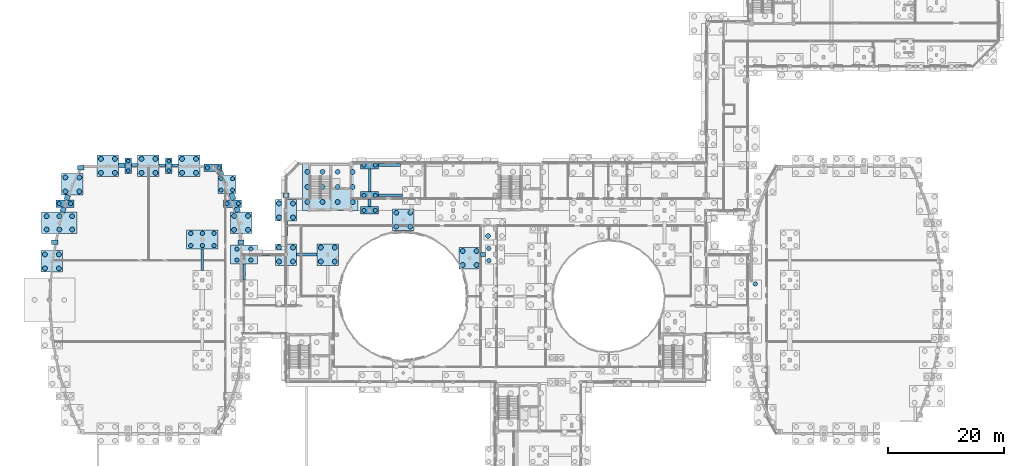
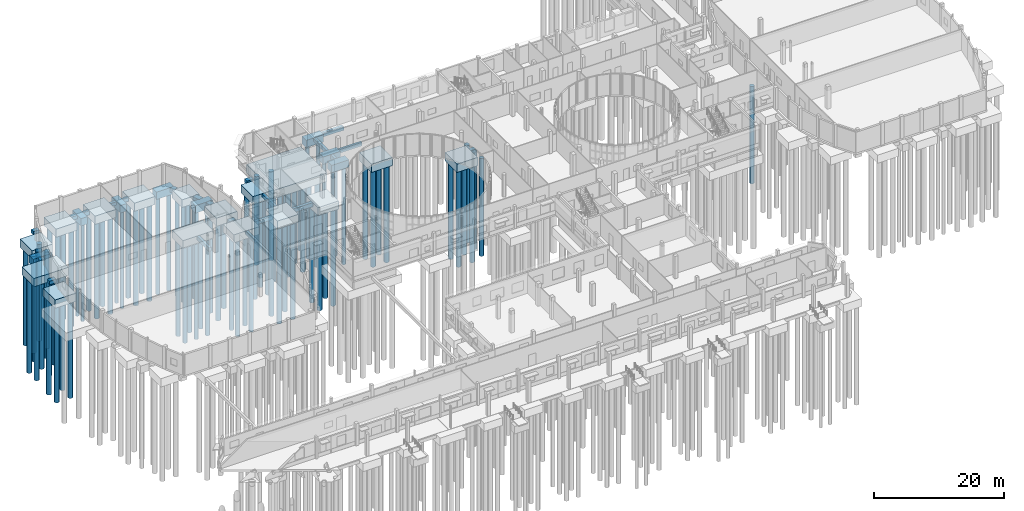
# One storey, part 6 of 93: 96 piles, 47 footings.
"""IFC4 building model written with IfcOpenShell, lengths in metres."""

from ifc_helpers import new_model, si_unit, direction, frame, origin, origin_2d, place, context, subcontext, project, spatial, rectangle, circle, extrude, material, material_profile, profile_set, type_object, element, save


model = new_model("IFC4")

# Units and contexts
model_context = context("Model", 3, precision=1e-05, world=origin(), true_north=direction((0.0, 1.0)))
body_context = subcontext(model_context, "Body", "Model", "MODEL_VIEW")
ifc_project = project(units=[si_unit("LENGTHUNIT", "METRE"), si_unit("AREAUNIT", "SQUARE_METRE"), si_unit("VOLUMEUNIT", "CUBIC_METRE"), si_unit("PLANEANGLEUNIT", "RADIAN"), si_unit("MASSUNIT", "GRAM", prefix="KILO")], contexts=[model_context])

# Site, building, storey
site_placement = place(None, origin())
site = spatial("IfcSite", under=ifc_project, at=site_placement, CompositionType="ELEMENT")
building_placement = place(site_placement, origin())
building = spatial("IfcBuilding", under=site, at=building_placement, Name="Kelanivale Promenade Academy", CompositionType="ELEMENT")
storey_placement = place(building_placement, origin())
storey = spatial("IfcBuildingStorey", under=building, at=storey_placement, Name="L00", CompositionType="ELEMENT", Elevation=0.0)

# Piles
ifc_material = material(Name="Concrete C35/45", Category="concrete")
ifc_material_profile_1 = material_profile(ifc_material, circle(Radius=0.300048828125, at=origin_2d()), Name="BORED PILE D600")
ifc_profile_set_1 = profile_set([ifc_material_profile_1], Name="Concrete C35/45")
pile_type_1 = type_object("IfcPileType", Name="BP-1 BORED PILE D600", PredefinedType="BORED", material=ifc_profile_set_1)
for number, where, z_axis, x_axis, name in (
    (1, (16.012939453125, 78.4599609375, -1.550048828125), (0.0, 0.0, -1.0), (1.0, 0.0, 0.0), "Bored pile FC-020-BP1-P01"),
    (2, (16.012939453125, 80.10009765625, -1.550048828125), (0.0, 0.0, -1.0), (1.0, 0.0, 0.0), "Bored pile FC-020-BP1-P02"),
    (3, (22.9990234375, 78.4599609375, -1.550048828125), (0.0, 0.0, -1.0), (1.0, 0.0, 0.0), "Bored pile FC-027-BP1-P01"),
    (4, (22.9990234375, 80.10009765625, -1.550048828125), (0.0, 0.0, -1.0), (1.0, 0.0, 0.0), "Bored pile FC-027-BP1-P02"),
):
    element("IfcPile", number, at=place(storey_placement, frame(where, z_axis=z_axis, x_axis=x_axis)), inside=storey, type_object=pile_type_1, Name=name, PredefinedType="BORED", context=body_context, shape_type="SweptSolid", body=[
        extrude(circle(Radius=0.300048828125, at=origin_2d()), origin(), (0.0, 0.0, 1.0), 18.449951171875),
    ])
ifc_material_profile_2 = material_profile(ifc_material, circle(Radius=0.35009765625, at=origin_2d()), Name="BORED PILE D700")
ifc_profile_set_2 = profile_set([ifc_material_profile_2], Name="Concrete C35/45")
pile_type_2 = type_object("IfcPileType", Name="BP-2 BORED PILE D700", PredefinedType="BORED", material=ifc_profile_set_2)
for number, where, z_axis, x_axis, name in (
    (5, (4.131103515625, 72.77099609375, -1.550048828125), (0.0, 0.0, -1.0), (1.0, 0.0, 0.0), "Bored pile FC-008-BP2-P01"),
    (6, (6.091064453125, 72.77099609375, -1.550048828125), (0.0, 0.0, -1.0), (1.0, 0.0, 0.0), "Bored pile FC-008-BP2-P02"),
    (7, (29.669921875, 78.949951171875, -1.550048828125), (0.0, 0.0, -1.0), (1.0, 0.0, 0.0), "Bored pile FC-038-BP2-P01"),
    (8, (31.6298828125, 78.949951171875, -1.550048828125), (0.0, 0.0, -1.0), (1.0, 0.0, 0.0), "Bored pile FC-038-BP2-P02"),
):
    element("IfcPile", number, at=place(storey_placement, frame(where, z_axis=z_axis, x_axis=x_axis)), inside=storey, type_object=pile_type_2, Name=name, PredefinedType="BORED", context=body_context, shape_type="SweptSolid", body=[
        extrude(circle(Radius=0.35009765625, at=origin_2d()), origin(), (0.0, 0.0, 1.0), 18.449951171875),
    ])
for number, where, z_axis, x_axis, name in (
    (9, (32.030029296875, 75.10595703125, -1.60009765625), (0.0, 0.0, -1.0), (1.0, 0.0, 0.0), "Bored pile FC-040-BP2-P01"),
    (10, (32.030029296875, 77.06591796875, -1.60009765625), (0.0, 0.0, -1.0), (1.0, 0.0, 0.0), "Bored pile FC-040-BP2-P02"),
    (11, (33.989990234375, 75.10595703125, -1.60009765625), (0.0, 0.0, -1.0), (1.0, 0.0, 0.0), "Bored pile FC-040-BP2-P03"),
    (12, (33.989990234375, 77.06591796875, -1.60009765625), (0.0, 0.0, -1.0), (1.0, 0.0, 0.0), "Bored pile FC-040-BP2-P04"),
):
    element("IfcPile", number, at=place(storey_placement, frame(where, z_axis=z_axis, x_axis=x_axis)), inside=storey, type_object=pile_type_2, Name=name, PredefinedType="BORED", context=body_context, shape_type="SweptSolid", body=[
        extrude(circle(Radius=0.35009765625, at=origin_2d()), origin(), (0.0, 0.0, 1.0), 18.39990234375),
    ])
for number, where, z_axis, x_axis, name in (
    (13, (33.02001953125, 72.77099609375, -1.550048828125), (0.0, 0.0, -1.0), (1.0, 0.0, 0.0), "Bored pile FC-042-BP2-P01"),
    (14, (34.97998046875, 72.77099609375, -1.550048828125), (0.0, 0.0, -1.0), (1.0, 0.0, 0.0), "Bored pile FC-042-BP2-P02"),
):
    element("IfcPile", number, at=place(storey_placement, frame(where, z_axis=z_axis, x_axis=x_axis)), inside=storey, type_object=pile_type_2, Name=name, PredefinedType="BORED", context=body_context, shape_type="SweptSolid", body=[
        extrude(circle(Radius=0.35009765625, at=origin_2d()), origin(), (0.0, 0.0, 1.0), 18.449951171875),
    ])
for number, where, z_axis, x_axis, name in (
    (15, (56.6201171875, 71.60009765625, -1.5), (0.0, 0.0, -1.0), (1.0, 0.0, 0.0), "Bored pile FC-066-BP2-P01"),
    (16, (58.580078125, 71.60009765625, -1.5), (0.0, 0.0, -1.0), (1.0, 0.0, 0.0), "Bored pile FC-066-BP2-P02"),
    (17, (56.6201171875, 74.199951171875, -1.5), (0.0, 0.0, -1.0), (1.0, 0.0, 0.0), "Bored pile FC-067-BP2-P01"),
    (18, (58.580078125, 74.199951171875, -1.5), (0.0, 0.0, -1.0), (1.0, 0.0, 0.0), "Bored pile FC-067-BP2-P02"),
    (19, (56.6201171875, 79.39990234375, -1.5), (0.0, 0.0, -1.0), (1.0, 0.0, 0.0), "Bored pile FC-068-BP2-P01"),
    (20, (58.580078125, 79.39990234375, -1.5), (0.0, 0.0, -1.0), (1.0, 0.0, 0.0), "Bored pile FC-068-BP2-P02"),
):
    element("IfcPile", number, at=place(storey_placement, frame(where, z_axis=z_axis, x_axis=x_axis)), inside=storey, type_object=pile_type_2, Name=name, PredefinedType="BORED", context=body_context, shape_type="SweptSolid", body=[
        extrude(circle(Radius=0.35009765625, at=origin_2d()), origin(), (0.0, 0.0, 1.0), 18.5),
    ])
ifc_material_profile_3 = material_profile(ifc_material, circle(Radius=0.375, at=origin_2d()), Name="BORED PILE D750")
ifc_profile_set_3 = profile_set([ifc_material_profile_3], Name="Concrete C35/45")
pile_type_3 = type_object("IfcPileType", Name="BP-3 BORED PILE D750", PredefinedType="BORED", material=ifc_profile_set_3)
for number, where, z_axis, x_axis, name in (
    (21, (34.75, 63.050048828125, -1.64990234375), (0.0, 0.0, -1.0), (1.0, 0.0, 0.0), "Bored pile FC-MJ-W03-BP3-P01"),
    (22, (34.75, 64.949951171875, -1.64990234375), (0.0, 0.0, -1.0), (1.0, 0.0, 0.0), "Bored pile FC-MJ-W03-BP3-P02"),
    (23, (37.14990234375, 63.050048828125, -1.64990234375), (0.0, 0.0, -1.0), (1.0, 0.0, 0.0), "Bored pile FC-MJ-W03-BP3-P03"),
    (24, (37.14990234375, 64.949951171875, -1.64990234375), (0.0, 0.0, -1.0), (1.0, 0.0, 0.0), "Bored pile FC-MJ-W03-BP3-P04"),
    (25, (124.050048828125, 58.949951171875, -1.64990234375), (0.0, 0.0, -1.0), (1.0, 0.0, 0.0), "Bored pile FC-MJ-E02-BP3-P04"),
    (26, (26.800048828125, 65.550048828125, -1.64990234375), (0.0, 0.0, -1.0), (1.0, 0.0, 0.0), "Bored pile FC-036-BP3-P01"),
    (27, (28.800048828125, 65.550048828125, -1.64990234375), (0.0, 0.0, -1.0), (1.0, 0.0, 0.0), "Bored pile FC-036-BP3-P02"),
    (28, (30.800048828125, 65.550048828125, -1.64990234375), (0.0, 0.0, -1.0), (1.0, 0.0, 0.0), "Bored pile FC-036-BP3-P03"),
    (29, (26.800048828125, 67.64990234375, -1.64990234375), (0.0, 0.0, -1.0), (1.0, 0.0, 0.0), "Bored pile FC-036-BP3-P04"),
    (30, (28.800048828125, 67.64990234375, -1.64990234375), (0.0, 0.0, -1.0), (1.0, 0.0, 0.0), "Bored pile FC-036-BP3-P05"),
    (31, (30.800048828125, 67.64990234375, -1.64990234375), (0.0, 0.0, -1.0), (1.0, 0.0, 0.0), "Bored pile FC-036-BP3-P06"),
):
    element("IfcPile", number, at=place(storey_placement, frame(where, z_axis=z_axis, x_axis=x_axis)), inside=storey, type_object=pile_type_3, Name=name, PredefinedType="BORED", context=body_context, shape_type="SweptSolid", body=[
        extrude(circle(Radius=0.375, at=origin_2d()), origin(), (0.0, 0.0, 1.0), 18.35009765625),
    ])
for number, where, z_axis, x_axis, name in (
    (32, (78.14990234375, 62.949951171875, -1.60009765625), (0.0, 0.0, -1.0), (1.0, 0.0, 0.0), "Bored pile FC-096-BP3-P01"),
    (33, (78.14990234375, 65.050048828125, -1.60009765625), (0.0, 0.0, -1.0), (1.0, 0.0, 0.0), "Bored pile FC-096-BP3-P02"),
):
    element("IfcPile", number, at=place(storey_placement, frame(where, z_axis=z_axis, x_axis=x_axis)), inside=storey, type_object=pile_type_3, Name=name, PredefinedType="BORED", context=body_context, shape_type="SweptSolid", body=[
        extrude(circle(Radius=0.375, at=origin_2d()), origin(), (0.0, 0.0, 1.0), 18.39990234375),
    ])
ifc_material_profile_4 = material_profile(ifc_material, circle(Radius=0.425048828125, at=origin_2d()), Name="BORED PILE D850")
ifc_profile_set_4 = profile_set([ifc_material_profile_4], Name="Concrete C35/45")
pile_type_4 = type_object("IfcPileType", Name="BP-4 BORED PILE D850", PredefinedType="BORED", material=ifc_profile_set_4)
for number, where, z_axis, x_axis, name in (
    (34, (46.89990234375, 73.050048828125, -3.300048828125), (0.0, 0.0, -1.0), (1.0, 0.0, 0.0), "Bored pile FC-CORE-04-BP4-P01"),
    (35, (46.89990234375, 75.64990234375, -3.300048828125), (0.0, 0.0, -1.0), (1.0, 0.0, 0.0), "Bored pile FC-CORE-04-BP4-P02"),
    (36, (46.89990234375, 78.25, -3.300048828125), (0.0, 0.0, -1.0), (1.0, 0.0, 0.0), "Bored pile FC-CORE-04-BP4-P03"),
    (37, (49.5, 73.050048828125, -3.300048828125), (0.0, 0.0, -1.0), (1.0, 0.0, 0.0), "Bored pile FC-CORE-04-BP4-P04"),
    (38, (49.5, 75.64990234375, -3.300048828125), (0.0, 0.0, -1.0), (1.0, 0.0, 0.0), "Bored pile FC-CORE-04-BP4-P05"),
    (39, (49.5, 78.25, -3.300048828125), (0.0, 0.0, -1.0), (1.0, 0.0, 0.0), "Bored pile FC-CORE-04-BP4-P06"),
    (40, (52.10009765625, 73.050048828125, -3.300048828125), (0.0, 0.0, -1.0), (1.0, 0.0, 0.0), "Bored pile FC-CORE-04-BP4-P07"),
    (41, (52.10009765625, 75.64990234375, -3.300048828125), (0.0, 0.0, -1.0), (1.0, 0.0, 0.0), "Bored pile FC-CORE-04-BP4-P08"),
    (42, (52.10009765625, 78.25, -3.300048828125), (0.0, 0.0, -1.0), (1.0, 0.0, 0.0), "Bored pile FC-CORE-04-BP4-P09"),
    (43, (54.699951171875, 73.050048828125, -3.300048828125), (0.0, 0.0, -1.0), (1.0, 0.0, 0.0), "Bored pile FC-CORE-04-BP4-P10"),
    (44, (54.699951171875, 75.64990234375, -3.300048828125), (0.0, 0.0, -1.0), (1.0, 0.0, 0.0), "Bored pile FC-CORE-04-BP4-P11"),
    (45, (54.699951171875, 78.25, -3.300048828125), (0.0, 0.0, -1.0), (1.0, 0.0, 0.0), "Bored pile FC-CORE-04-BP4-P12"),
):
    element("IfcPile", number, at=place(storey_placement, frame(where, z_axis=z_axis, x_axis=x_axis)), inside=storey, type_object=pile_type_4, Name=name, PredefinedType="BORED", context=body_context, shape_type="SweptSolid", body=[
        extrude(circle(Radius=0.425048828125, at=origin_2d()), origin(), (0.0, 0.0, 1.0), 16.699951171875),
    ])
for number, where, z_axis, x_axis, name in (
    (46, (1.6640625, 61.62890625, -1.699951171875), (0.0, 0.0, -1.0), (1.0, 0.0, 0.0), "Bored pile FC-004-BP4-P01"),
    (47, (1.6640625, 64.029052734375, -1.699951171875), (0.0, 0.0, -1.0), (1.0, 0.0, 0.0), "Bored pile FC-004-BP4-P02"),
    (48, (4.06396484375, 61.62890625, -1.699951171875), (0.0, 0.0, -1.0), (1.0, 0.0, 0.0), "Bored pile FC-004-BP4-P03"),
    (49, (4.06396484375, 64.029052734375, -1.699951171875), (0.0, 0.0, -1.0), (1.0, 0.0, 0.0), "Bored pile FC-004-BP4-P04"),
    (50, (1.9580078125, 68.306884765625, -1.699951171875), (0.0, 0.0, -1.0), (1.0, 0.0, 0.0), "Bored pile FC-006-BP4-P01"),
    (51, (4.157958984375, 68.306884765625, -1.699951171875), (0.0, 0.0, -1.0), (1.0, 0.0, 0.0), "Bored pile FC-006-BP4-P02"),
    (52, (6.35791015625, 68.306884765625, -1.699951171875), (0.0, 0.0, -1.0), (1.0, 0.0, 0.0), "Bored pile FC-006-BP4-P03"),
    (53, (1.9580078125, 70.60693359375, -1.699951171875), (0.0, 0.0, -1.0), (1.0, 0.0, 0.0), "Bored pile FC-006-BP4-P04"),
    (54, (4.157958984375, 70.60693359375, -1.699951171875), (0.0, 0.0, -1.0), (1.0, 0.0, 0.0), "Bored pile FC-006-BP4-P05"),
    (55, (6.35791015625, 70.60693359375, -1.699951171875), (0.0, 0.0, -1.0), (1.0, 0.0, 0.0), "Bored pile FC-006-BP4-P06"),
    (56, (5.193115234375, 74.885986328125, -1.699951171875), (0.0, 0.0, -1.0), (1.0, 0.0, 0.0), "Bored pile FC-010-BP4-P01"),
    (57, (5.193115234375, 77.285888671875, -1.699951171875), (0.0, 0.0, -1.0), (1.0, 0.0, 0.0), "Bored pile FC-010-BP4-P02"),
    (58, (7.593017578125, 74.885986328125, -1.699951171875), (0.0, 0.0, -1.0), (1.0, 0.0, 0.0), "Bored pile FC-010-BP4-P03"),
    (59, (7.593017578125, 77.285888671875, -1.699951171875), (0.0, 0.0, -1.0), (1.0, 0.0, 0.0), "Bored pile FC-010-BP4-P04"),
    (60, (11.320068359375, 78.080078125, -1.699951171875), (0.0, 0.0, -1.0), (1.0, 0.0, 0.0), "Bored pile FC-015-BP4-P01"),
    (61, (11.320068359375, 80.47998046875, -1.699951171875), (0.0, 0.0, -1.0), (1.0, 0.0, 0.0), "Bored pile FC-015-BP4-P02"),
    (62, (13.719970703125, 78.080078125, -1.699951171875), (0.0, 0.0, -1.0), (1.0, 0.0, 0.0), "Bored pile FC-015-BP4-P03"),
    (63, (13.719970703125, 80.47998046875, -1.699951171875), (0.0, 0.0, -1.0), (1.0, 0.0, 0.0), "Bored pile FC-015-BP4-P04"),
    (64, (18.305908203125, 78.080078125, -1.699951171875), (0.0, 0.0, -1.0), (1.0, 0.0, 0.0), "Bored pile FC-022-BP4-P01"),
    (65, (18.305908203125, 80.47998046875, -1.699951171875), (0.0, 0.0, -1.0), (1.0, 0.0, 0.0), "Bored pile FC-022-BP4-P02"),
    (66, (20.7060546875, 78.080078125, -1.699951171875), (0.0, 0.0, -1.0), (1.0, 0.0, 0.0), "Bored pile FC-022-BP4-P03"),
    (67, (20.7060546875, 80.47998046875, -1.699951171875), (0.0, 0.0, -1.0), (1.0, 0.0, 0.0), "Bored pile FC-022-BP4-P04"),
    (68, (25.2919921875, 78.080078125, -1.699951171875), (0.0, 0.0, -1.0), (1.0, 0.0, 0.0), "Bored pile FC-029-BP4-P01"),
    (69, (25.2919921875, 80.47998046875, -1.699951171875), (0.0, 0.0, -1.0), (1.0, 0.0, 0.0), "Bored pile FC-029-BP4-P02"),
    (70, (27.69189453125, 78.080078125, -1.699951171875), (0.0, 0.0, -1.0), (1.0, 0.0, 0.0), "Bored pile FC-029-BP4-P03"),
    (71, (27.69189453125, 80.47998046875, -1.699951171875), (0.0, 0.0, -1.0), (1.0, 0.0, 0.0), "Bored pile FC-029-BP4-P04"),
    (72, (34.260009765625, 68.257080078125, -1.699951171875), (0.0, 0.0, -1.0), (1.0, 0.0, 0.0), "Bored pile FC-045-BP4-P01"),
    (73, (34.260009765625, 70.656982421875, -1.699951171875), (0.0, 0.0, -1.0), (1.0, 0.0, 0.0), "Bored pile FC-045-BP4-P02"),
    (74, (36.659912109375, 68.257080078125, -1.699951171875), (0.0, 0.0, -1.0), (1.0, 0.0, 0.0), "Bored pile FC-045-BP4-P03"),
    (75, (36.659912109375, 70.656982421875, -1.699951171875), (0.0, 0.0, -1.0), (1.0, 0.0, 0.0), "Bored pile FC-045-BP4-P04"),
):
    element("IfcPile", number, at=place(storey_placement, frame(where, z_axis=z_axis, x_axis=x_axis)), inside=storey, type_object=pile_type_4, Name=name, PredefinedType="BORED", context=body_context, shape_type="SweptSolid", body=[
        extrude(circle(Radius=0.425048828125, at=origin_2d()), origin(), (0.0, 0.0, 1.0), 18.300048828125),
    ])
for number, where, z_axis, x_axis, name in (
    (76, (42.0, 62.800048828125, -1.64990234375), (0.0, 0.0, -1.0), (1.0, 0.0, 0.0), "Bored pile FC-051-BP4-P01"),
    (77, (42.0, 65.199951171875, -1.64990234375), (0.0, 0.0, -1.0), (1.0, 0.0, 0.0), "Bored pile FC-051-BP4-P02"),
    (78, (44.39990234375, 62.800048828125, -1.64990234375), (0.0, 0.0, -1.0), (1.0, 0.0, 0.0), "Bored pile FC-051-BP4-P03"),
    (79, (44.39990234375, 65.199951171875, -1.64990234375), (0.0, 0.0, -1.0), (1.0, 0.0, 0.0), "Bored pile FC-051-BP4-P04"),
    (80, (42.0, 70.39990234375, -1.64990234375), (0.0, 0.0, -1.0), (1.0, 0.0, 0.0), "Bored pile FC-052-BP4-P01"),
    (81, (42.0, 72.800048828125, -1.64990234375), (0.0, 0.0, -1.0), (1.0, 0.0, 0.0), "Bored pile FC-052-BP4-P02"),
    (82, (44.39990234375, 70.39990234375, -1.64990234375), (0.0, 0.0, -1.0), (1.0, 0.0, 0.0), "Bored pile FC-052-BP4-P03"),
    (83, (44.39990234375, 72.800048828125, -1.64990234375), (0.0, 0.0, -1.0), (1.0, 0.0, 0.0), "Bored pile FC-052-BP4-P04"),
    (84, (49.199951171875, 62.800048828125, -1.64990234375), (0.0, 0.0, -1.0), (1.0, 0.0, 0.0), "Bored pile FC-059-BP4-P01"),
    (85, (49.199951171875, 65.199951171875, -1.64990234375), (0.0, 0.0, -1.0), (1.0, 0.0, 0.0), "Bored pile FC-059-BP4-P02"),
    (86, (51.60009765625, 62.800048828125, -1.64990234375), (0.0, 0.0, -1.0), (1.0, 0.0, 0.0), "Bored pile FC-059-BP4-P03"),
    (87, (51.60009765625, 65.199951171875, -1.64990234375), (0.0, 0.0, -1.0), (1.0, 0.0, 0.0), "Bored pile FC-059-BP4-P04"),
    (88, (62.199951171875, 68.800048828125, -1.64990234375), (0.0, 0.0, -1.0), (1.0, 0.0, 0.0), "Bored pile FC-070-BP4-P01"),
    (89, (62.199951171875, 71.199951171875, -1.64990234375), (0.0, 0.0, -1.0), (1.0, 0.0, 0.0), "Bored pile FC-070-BP4-P02"),
    (90, (64.60009765625, 68.800048828125, -1.64990234375), (0.0, 0.0, -1.0), (1.0, 0.0, 0.0), "Bored pile FC-070-BP4-P03"),
    (91, (64.60009765625, 71.199951171875, -1.64990234375), (0.0, 0.0, -1.0), (1.0, 0.0, 0.0), "Bored pile FC-070-BP4-P04"),
    (92, (73.632080078125, 62.199951171875, -1.64990234375), (0.0, 0.0, -1.0), (1.0, 0.0, 0.0), "Bored pile FC-087-BP4-P01"),
    (93, (73.632080078125, 64.60009765625, -1.64990234375), (0.0, 0.0, -1.0), (1.0, 0.0, 0.0), "Bored pile FC-087-BP4-P02"),
    (94, (76.031982421875, 62.199951171875, -1.64990234375), (0.0, 0.0, -1.0), (1.0, 0.0, 0.0), "Bored pile FC-087-BP4-P03"),
    (95, (76.031982421875, 64.60009765625, -1.64990234375), (0.0, 0.0, -1.0), (1.0, 0.0, 0.0), "Bored pile FC-087-BP4-P04"),
    (96, (78.0, 67.199951171875, -1.64990234375), (0.0, 0.0, -1.0), (1.0, 0.0, 0.0), "Bored pile FC-097-BP4-P01"),
):
    element("IfcPile", number, at=place(storey_placement, frame(where, z_axis=z_axis, x_axis=x_axis)), inside=storey, type_object=pile_type_4, Name=name, PredefinedType="BORED", context=body_context, shape_type="SweptSolid", body=[
        extrude(circle(Radius=0.425048828125, at=origin_2d()), origin(), (0.0, 0.0, 1.0), 18.35009765625),
    ])

# Footings
footing_type_1 = type_object("IfcFootingType", Name="GB-01 450x650", PredefinedType="FOOTING_BEAM", material=ifc_material)
footing_1_placement = place(storey_placement, frame((39.800048828125, 64.0, -0.949951171875), z_axis=(0.0, 0.0, 1.0), x_axis=(1.0, 0.0, 0.0)))
element("IfcFooting", 97, at=footing_1_placement, inside=storey, type_object=footing_type_1, Name="Ground beam GB-089", PredefinedType="FOOTING_BEAM", context=body_context, shape_type="SweptSolid", body=[
    extrude(rectangle(XDim=3.110107421875, YDim=0.449951171875, at=origin_2d()), origin(), (0.0, 0.0, 1.0), 0.64990234375),
])
footing_2_placement = place(storey_placement, frame((61.199951171875, 74.199951171875, -0.89990234375), z_axis=(0.0, 0.0, 1.0), x_axis=(1.0, 0.0, 0.0)))
element("IfcFooting", 98, at=footing_2_placement, inside=storey, type_object=footing_type_1, Name="Ground beam GB-097", PredefinedType="FOOTING_BEAM", context=body_context, shape_type="SweptSolid", body=[
    extrude(rectangle(XDim=4.110107421875, YDim=0.449951171875, at=origin_2d()), origin(), (0.0, 0.0, 1.0), 0.64990234375),
])
for number, where, z_axis, x_axis, name in (
    (99, (21.889892578125, 79.39990234375, -0.949951171875), (0.0, 0.0, 1.0), (1.0, 0.0, 0.0), "Ground beam GB-100"),
    (100, (24.10791015625, 79.39990234375, -0.949951171875), (0.0, 0.0, 1.0), (1.0, 0.0, 0.0), "Ground beam GB-101"),
):
    element("IfcFooting", number, at=place(storey_placement, frame(where, z_axis=z_axis, x_axis=x_axis)), inside=storey, type_object=footing_type_1, Name=name, PredefinedType="FOOTING_BEAM", context=body_context, shape_type="SweptSolid", body=[
        extrude(rectangle(XDim=1.077880859375, YDim=0.449951171875, at=origin_2d()), origin(), (0.0, 0.0, 1.0), 0.64990234375),
    ])
footing_3_placement = place(storey_placement, frame((28.800048828125, 63.10009765625, -0.949951171875), z_axis=(0.0, 0.0, 1.0), x_axis=(0.0, 1.0, 0.0)))
element("IfcFooting", 101, at=footing_3_placement, inside=storey, type_object=footing_type_1, Name="Ground beam GB-127", PredefinedType="FOOTING_BEAM", context=body_context, shape_type="SweptSolid", body=[
    extrude(rectangle(XDim=3.7099609375, YDim=0.449951171875, at=origin_2d()), origin(), (0.0, 0.0, 1.0), 0.64990234375),
])
footing_4_placement = place(storey_placement, frame((36.0, 61.0, -0.949951171875), z_axis=(0.0, 0.0, 1.0), x_axis=(0.0, 1.0, 0.0)))
element("IfcFooting", 102, at=footing_4_placement, inside=storey, type_object=footing_type_1, Name="Ground beam GB-130", PredefinedType="FOOTING_BEAM", context=body_context, shape_type="SweptSolid", body=[
    extrude(rectangle(XDim=2.7099609375, YDim=0.449951171875, at=origin_2d()), origin(), (0.0, 0.0, 1.0), 0.64990234375),
])
for number, where, z_axis, x_axis, name in (
    (103, (43.199951171875, 67.800048828125, -0.89990234375), (0.0, 0.0, 1.0), (0.0, 1.0, 0.0), "Ground beam GB-134"),
    (104, (57.60009765625, 76.800048828125, -0.89990234375), (0.0, 0.0, 1.0), (0.0, 1.0, 0.0), "Ground beam GB-145"),
):
    element("IfcFooting", number, at=place(storey_placement, frame(where, z_axis=z_axis, x_axis=x_axis)), inside=storey, type_object=footing_type_1, Name=name, PredefinedType="FOOTING_BEAM", context=body_context, shape_type="SweptSolid", body=[
        extrude(rectangle(XDim=3.909912109375, YDim=0.449951171875, at=origin_2d()), origin(), (0.0, 0.0, 1.0), 0.64990234375),
    ])
footing_type_2 = type_object("IfcFootingType", Name="GB-02 500x750", PredefinedType="FOOTING_BEAM", material=ifc_material)
footing_5_placement = place(storey_placement, frame((46.800048828125, 64.0, -1.0), z_axis=(0.0, 0.0, 1.0), x_axis=(1.0, 0.0, 0.0)))
element("IfcFooting", 105, at=footing_5_placement, inside=storey, type_object=footing_type_2, Name="Ground beam GB-090", PredefinedType="FOOTING_BEAM", context=body_context, shape_type="SweptSolid", body=[
    extrude(rectangle(XDim=3.510009765625, YDim=0.5, at=origin_2d()), origin(), (0.0, 0.0, 1.0), 0.75),
])
footing_6_placement = place(storey_placement, frame((17.1220703125, 79.39990234375, -1.050048828125), z_axis=(0.0, 0.0, 1.0), x_axis=(1.0, 0.0, 0.0)))
element("IfcFooting", 106, at=footing_6_placement, inside=storey, type_object=footing_type_2, Name="Ground beam GB-099", PredefinedType="FOOTING_BEAM", context=body_context, shape_type="SweptSolid", body=[
    extrude(rectangle(XDim=1.077880859375, YDim=0.5, at=origin_2d()), origin(), (0.0, 0.0, 1.0), 0.75),
])
footing_7_placement = place(storey_placement, frame((61.050048828125, 79.39990234375, -1.0), z_axis=(0.0, 0.0, 1.0), x_axis=(1.0, 0.0, 0.0)))
element("IfcFooting", 107, at=footing_7_placement, inside=storey, type_object=footing_type_2, Name="Ground beam GB-102", PredefinedType="FOOTING_BEAM", context=body_context, shape_type="SweptSolid", body=[
    extrude(rectangle(XDim=3.81005859375, YDim=0.5, at=origin_2d()), origin(), (0.0, 0.0, 1.0), 0.75),
])
footing_8_placement = place(storey_placement, frame((57.60009765625, 72.89990234375, -1.0), z_axis=(0.0, 0.0, 1.0), x_axis=(0.0, 1.0, 0.0)))
element("IfcFooting", 108, at=footing_8_placement, inside=storey, type_object=footing_type_2, Name="Ground beam GB-144", PredefinedType="FOOTING_BEAM", context=body_context, shape_type="SweptSolid", body=[
    extrude(rectangle(XDim=1.31005859375, YDim=0.5, at=origin_2d()), origin(), (0.0, 0.0, 1.0), 0.75),
])
footing_type_3 = type_object("IfcFootingType", Name="PC-01 Pile Cap 2650x1150x1400", PredefinedType="PILE_CAP", material=ifc_material)
for number, where, z_axis, x_axis, name in (
    (109, (16.012939453125, 79.280029296875, -1.699951171875), (0.0, 0.0, 1.0), (0.0, 1.0, 0.0), "Pile cap FC-020"),
    (110, (22.9990234375, 79.280029296875, -1.699951171875), (0.0, 0.0, 1.0), (0.0, 1.0, 0.0), "Pile cap FC-027"),
):
    element("IfcFooting", number, at=place(storey_placement, frame(where, z_axis=z_axis, x_axis=x_axis)), inside=storey, type_object=footing_type_3, Name=name, PredefinedType="PILE_CAP", context=body_context, shape_type="SweptSolid", body=[
        extrude(rectangle(XDim=2.64990234375, YDim=1.14990234375, at=origin_2d()), origin(), (0.0, 0.0, 1.0), 1.39990234375),
    ])
footing_type_4 = type_object("IfcFootingType", Name="PC-03 Pile Cap 3100x1300x1400", PredefinedType="PILE_CAP", material=ifc_material)
for number, where, z_axis, x_axis, name in (
    (111, (5.111083984375, 72.77099609375, -1.699951171875), (0.0, 0.0, 1.0), (1.0, 0.0, 0.0), "Pile cap FC-008"),
    (112, (30.64990234375, 78.949951171875, -1.699951171875), (0.0, 0.0, 1.0), (1.0, 0.0, 0.0), "Pile cap FC-038"),
    (113, (34.0, 72.77099609375, -1.699951171875), (0.0, 0.0, 1.0), (1.0, 0.0, 0.0), "Pile cap FC-042"),
    (114, (57.60009765625, 71.60009765625, -1.64990234375), (0.0, 0.0, 1.0), (1.0, 0.0, 0.0), "Pile cap FC-066"),
    (115, (57.60009765625, 74.199951171875, -1.64990234375), (0.0, 0.0, 1.0), (1.0, 0.0, 0.0), "Pile cap FC-067"),
    (116, (57.60009765625, 79.39990234375, -1.64990234375), (0.0, 0.0, 1.0), (1.0, 0.0, 0.0), "Pile cap FC-068"),
):
    element("IfcFooting", number, at=place(storey_placement, frame(where, z_axis=z_axis, x_axis=x_axis)), inside=storey, type_object=footing_type_4, Name=name, PredefinedType="PILE_CAP", context=body_context, shape_type="SweptSolid", body=[
        extrude(rectangle(XDim=3.10009765625, YDim=1.300048828125, at=origin_2d()), origin(), (0.0, 0.0, 1.0), 1.39990234375),
    ])
footing_type_5 = type_object("IfcFootingType", Name="PC-04 Pile Cap 3100x3100x1450", PredefinedType="PILE_CAP", material=ifc_material)
footing_9_placement = place(storey_placement, frame((33.010009765625, 76.0859375, -1.75), z_axis=(0.0, 0.0, 1.0), x_axis=(1.0, 0.0, 0.0)))
element("IfcFooting", 117, at=footing_9_placement, inside=storey, type_object=footing_type_5, Name="Pile cap FC-040", PredefinedType="PILE_CAP", context=body_context, shape_type="SweptSolid", body=[
    extrude(rectangle(XDim=3.10009765625, YDim=3.10009765625, at=origin_2d()), origin(), (0.0, 0.0, 1.0), 1.449951171875),
])
footing_type_6 = type_object("IfcFootingType", Name="PC-06 Pile Cap 5450x3300x1500", PredefinedType="PILE_CAP", material=ifc_material)
footing_10_placement = place(storey_placement, frame((28.800048828125, 66.60009765625, -1.800048828125), z_axis=(0.0, 0.0, 1.0), x_axis=(1.0, 0.0, 0.0)))
element("IfcFooting", 118, at=footing_10_placement, inside=storey, type_object=footing_type_6, Name="Pile cap FC-036", PredefinedType="PILE_CAP", context=body_context, shape_type="SweptSolid", body=[
    extrude(rectangle(XDim=5.449951171875, YDim=3.300048828125, at=origin_2d()), origin(), (0.0, 0.0, 1.0), 1.5),
])
footing_type_7 = type_object("IfcFootingType", Name="PC-07 Pile Cap 3700x3700x1550", PredefinedType="PILE_CAP", material=ifc_material)
for number, where, z_axis, x_axis, name in (
    (119, (2.864013671875, 62.8291015625, -1.85009765625), (0.0, 0.0, 1.0), (1.0, 0.0, 0.0), "Pile cap FC-004"),
    (120, (6.39306640625, 76.0859375, -1.85009765625), (0.0, 0.0, 1.0), (1.0, 0.0, 0.0), "Pile cap FC-010"),
    (121, (12.52001953125, 79.280029296875, -1.85009765625), (0.0, 0.0, 1.0), (1.0, 0.0, 0.0), "Pile cap FC-015"),
    (122, (19.506103515625, 79.280029296875, -1.85009765625), (0.0, 0.0, 1.0), (1.0, 0.0, 0.0), "Pile cap FC-022"),
    (123, (26.491943359375, 79.280029296875, -1.85009765625), (0.0, 0.0, 1.0), (1.0, 0.0, 0.0), "Pile cap FC-029"),
    (124, (35.4599609375, 69.45703125, -1.85009765625), (0.0, 0.0, 1.0), (1.0, 0.0, 0.0), "Pile cap FC-045"),
    (125, (43.199951171875, 64.0, -1.7998046875), (0.0, 0.0, 1.0), (1.0, 0.0, 0.0), "Pile cap FC-051"),
    (126, (43.199951171875, 71.60009765625, -1.7998046875), (0.0, 0.0, 1.0), (1.0, 0.0, 0.0), "Pile cap FC-052"),
    (127, (50.39990234375, 64.0, -1.7998046875), (0.0, 0.0, 1.0), (1.0, 0.0, 0.0), "Pile cap FC-059"),
    (128, (63.39990234375, 70.0, -1.7998046875), (0.0, 0.0, 1.0), (1.0, 0.0, 0.0), "Pile cap FC-070"),
    (129, (74.83203125, 63.39990234375, -1.7998046875), (0.0, 0.0, 1.0), (1.0, 0.0, 0.0), "Pile cap FC-087"),
):
    element("IfcFooting", number, at=place(storey_placement, frame(where, z_axis=z_axis, x_axis=x_axis)), inside=storey, type_object=footing_type_7, Name=name, PredefinedType="PILE_CAP", context=body_context, shape_type="SweptSolid", body=[
        extrude(rectangle(XDim=3.699951171875, YDim=3.699951171875, at=origin_2d()), origin(), (0.0, 0.0, 1.0), 1.550048828125),
    ])
footing_type_8 = type_object("IfcFootingType", Name="PC-08 Pile Cap 6150x3700x1550", PredefinedType="PILE_CAP", material=ifc_material)
footing_11_placement = place(storey_placement, frame((4.157958984375, 69.45703125, -1.85009765625), z_axis=(0.0, 0.0, 1.0), x_axis=(1.0, 0.0, 0.0)))
element("IfcFooting", 130, at=footing_11_placement, inside=storey, type_object=footing_type_8, Name="Pile cap FC-006", PredefinedType="PILE_CAP", context=body_context, shape_type="SweptSolid", body=[
    extrude(rectangle(XDim=6.14990234375, YDim=3.699951171875, at=origin_2d()), origin(), (0.0, 0.0, 1.0), 1.550048828125),
])
footing_type_9 = type_object("IfcFootingType", Name="PC-C1 Pile Cap 9600x8200x1600", PredefinedType="PILE_CAP", material=ifc_material)
footing_12_placement = place(storey_placement, frame((50.800048828125, 75.64990234375, -3.449951171875), z_axis=(0.0, 0.0, 1.0), x_axis=(1.0, 0.0, 0.0)))
element("IfcFooting", 131, at=footing_12_placement, inside=storey, type_object=footing_type_9, Name="Pile cap FC-CORE-04", PredefinedType="PILE_CAP", context=body_context, shape_type="SweptSolid", body=[
    extrude(rectangle(XDim=9.60009765625, YDim=8.199951171875, at=origin_2d()), origin(), (0.0, 0.0, 1.0), 1.60009765625),
])
footing_type_10 = type_object("IfcFootingType", Name="PC-J1 Pile Cap 4600x3300x1500", PredefinedType="PILE_CAP", material=ifc_material)
footing_13_placement = place(storey_placement, frame((35.949951171875, 64.0, -1.800048828125), z_axis=(0.0, 0.0, 1.0), x_axis=(1.0, 0.0, 0.0)))
element("IfcFooting", 132, at=footing_13_placement, inside=storey, type_object=footing_type_10, Name="Pile cap FC-MJ-W03", PredefinedType="PILE_CAP", context=body_context, shape_type="SweptSolid", body=[
    extrude(rectangle(XDim=4.60009765625, YDim=3.300048828125, at=origin_2d()), origin(), (0.0, 0.0, 1.0), 1.5),
])
footing_type_11 = type_object("IfcFootingType", Name="SF-01 750x650", PredefinedType="STRIP_FOOTING", material=ifc_material)
for number, where, z_axis, x_axis, name in (
    (133, (3.35888671875, 66.14306640625, -0.949951171875), (0.0, 0.0, 1.0), (1.0, 0.0, 0.0), "Column pad footing FPAD-003"),
    (134, (7.862060546875, 78.949951171875, -0.949951171875), (0.0, 0.0, 1.0), (1.0, 0.0, 0.0), "Column pad footing FPAD-005"),
    (135, (35.449951171875, 66.14306640625, -0.949951171875), (0.0, 0.0, 1.0), (1.0, 0.0, 0.0), "Column pad footing FPAD-007"),
    (136, (43.199951171875, 74.199951171875, -0.89990234375), (0.0, 0.0, 1.0), (1.0, 0.0, 0.0), "Column pad footing FPAD-008"),
):
    element("IfcFooting", number, at=place(storey_placement, frame(where, z_axis=z_axis, x_axis=x_axis)), inside=storey, type_object=footing_type_11, Name=name, PredefinedType="STRIP_FOOTING", context=body_context, shape_type="SweptSolid", body=[
        extrude(rectangle(XDim=1.10009765625, YDim=0.75, at=origin_2d()), origin(), (0.0, 0.0, 1.0), 0.64990234375),
    ])
footing_14_placement = place(storey_placement, frame((77.115966796875, 64.0, -0.89990234375), z_axis=(0.0, 0.0, 1.0), x_axis=(1.0, 0.0, 0.0)))
element("IfcFooting", 137, at=footing_14_placement, inside=storey, type_object=footing_type_11, Name="Ground beam GB-091", PredefinedType="STRIP_FOOTING", context=body_context, shape_type="SweptSolid", body=[
    extrude(rectangle(XDim=0.8779296875, YDim=0.75, at=origin_2d()), origin(), (0.0, 0.0, 1.0), 0.64990234375),
])
footing_15_placement = place(storey_placement, frame((14.904052734375, 79.39990234375, -0.949951171875), z_axis=(0.0, 0.0, 1.0), x_axis=(1.0, 0.0, 0.0)))
element("IfcFooting", 138, at=footing_15_placement, inside=storey, type_object=footing_type_11, Name="Ground beam GB-098", PredefinedType="STRIP_FOOTING", context=body_context, shape_type="SweptSolid", body=[
    extrude(rectangle(XDim=1.077880859375, YDim=0.75, at=origin_2d()), origin(), (0.0, 0.0, 1.0), 0.64990234375),
])
footing_type_12 = type_object("IfcFootingType", Name="SF-02 900x700", PredefinedType="STRIP_FOOTING", material=ifc_material)
footing_16_placement = place(storey_placement, frame((4.7939453125, 71.714111328125, -1.0), z_axis=(0.0, 0.0, 1.0), x_axis=(0.287026159226, 0.957922744234, 0.0)))
element("IfcFooting", 139, at=footing_16_placement, inside=storey, type_object=footing_type_12, Name="Curved ring foundation beam GB-003", PredefinedType="STRIP_FOOTING", context=body_context, shape_type="SweptSolid", body=[
    extrude(rectangle(XDim=0.8798828125, YDim=0.89990234375, at=origin_2d()), origin(), (0.0, 0.0, 1.0), 0.699951171875),
])
footing_17_placement = place(storey_placement, frame((5.507080078125, 73.827880859375, -1.0), z_axis=(0.0, 0.0, 1.0), x_axis=(0.350844872616, 0.936433593673, 0.0)))
element("IfcFooting", 140, at=footing_17_placement, inside=storey, type_object=footing_type_12, Name="Curved ring foundation beam GB-004", PredefinedType="STRIP_FOOTING", context=body_context, shape_type="SweptSolid", body=[
    extrude(rectangle(XDim=0.89990234375, YDim=0.89990234375, at=origin_2d()), origin(), (0.0, 0.0, 1.0), 0.699951171875),
])
footing_18_placement = place(storey_placement, frame((34.819091796875, 71.714111328125, -1.0), z_axis=(0.0, 0.0, 1.0), x_axis=(-0.288881417984, 0.95736488673, 0.0)))
element("IfcFooting", 141, at=footing_18_placement, inside=storey, type_object=footing_type_12, Name="Curved ring foundation beam GB-010", PredefinedType="STRIP_FOOTING", context=body_context, shape_type="SweptSolid", body=[
    extrude(rectangle(XDim=0.8798828125, YDim=0.89990234375, at=origin_2d()), origin(), (0.0, 0.0, 1.0), 0.699951171875),
])
footing_19_placement = place(storey_placement, frame((33.971923828125, 73.97900390625, -1.0), z_axis=(0.0, 0.0, 1.0), x_axis=(-0.400748833103, 0.916187957117, 0.0)))
element("IfcFooting", 142, at=footing_19_placement, inside=storey, type_object=footing_type_12, Name="Curved ring foundation beam GB-011", PredefinedType="STRIP_FOOTING", context=body_context, shape_type="SweptSolid", body=[
    extrude(rectangle(XDim=1.2470703125, YDim=0.89990234375, at=origin_2d()), origin(), (0.0, 0.0, 1.0), 0.699951171875),
])
footing_20_placement = place(storey_placement, frame((31.970947265625, 77.968017578125, -1.0), z_axis=(0.0, 0.0, 1.0), x_axis=(-0.497382830668, 0.867531163565, 0.0)))
element("IfcFooting", 143, at=footing_20_placement, inside=storey, type_object=footing_type_12, Name="Curved ring foundation beam GB-012", PredefinedType="STRIP_FOOTING", context=body_context, shape_type="SweptSolid", body=[
    extrude(rectangle(XDim=0.794921875, YDim=0.89990234375, at=origin_2d()), origin(), (0.0, 0.0, 1.0), 0.699951171875),
])

save(model, "model.ifc")
